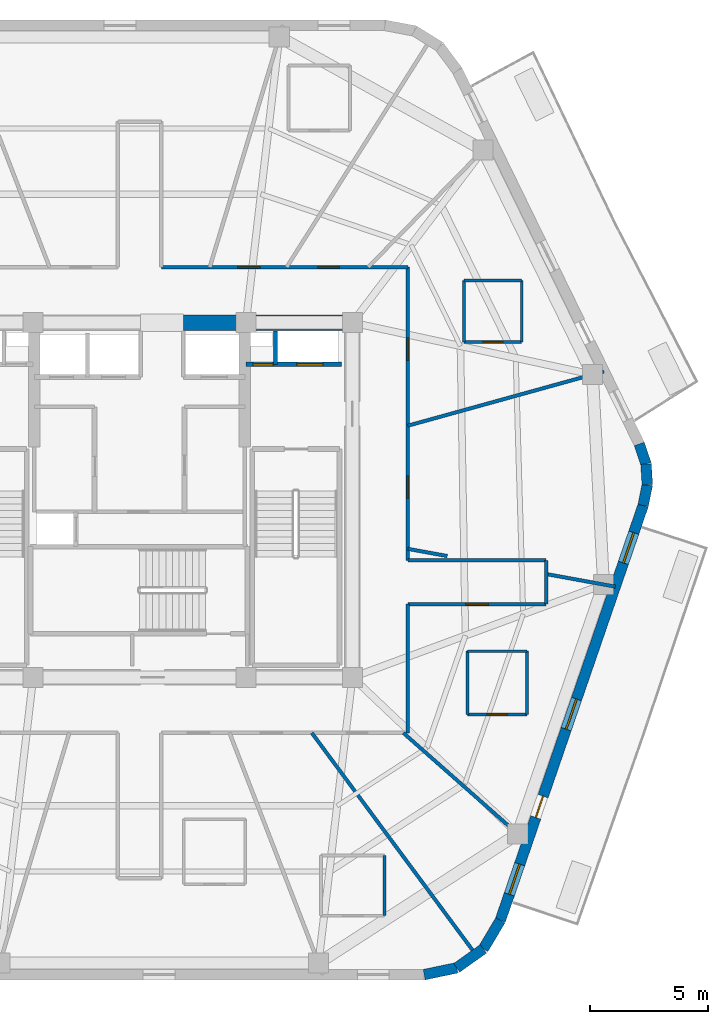
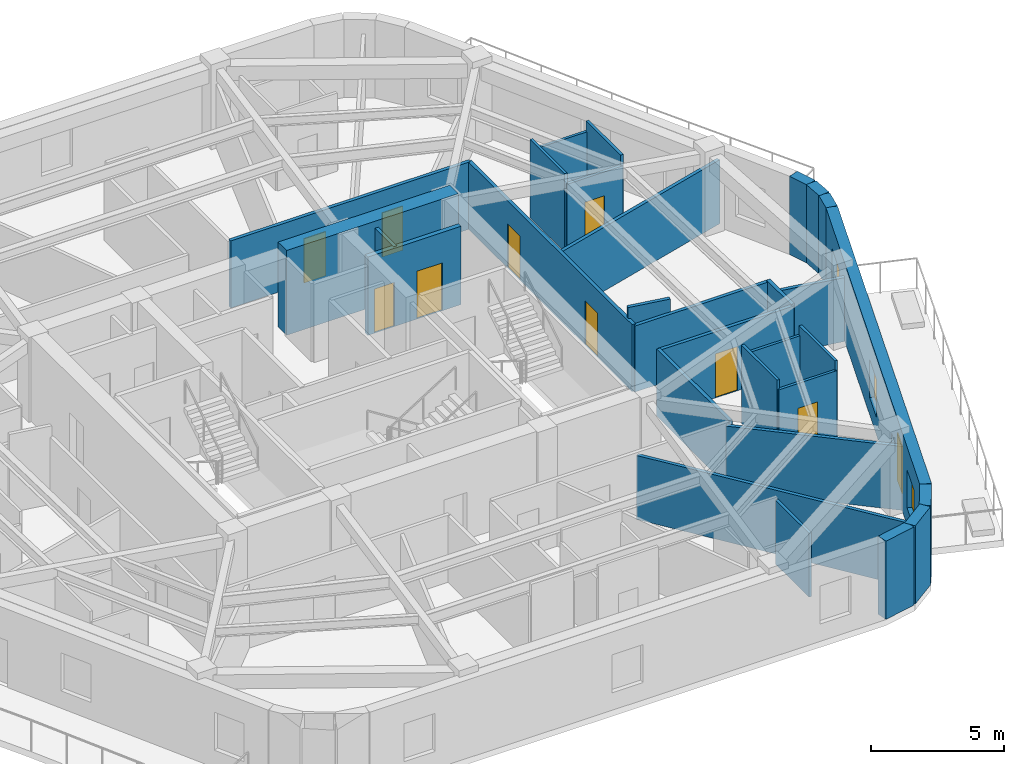
# One storey, part 5 of 9: 30 walls, 10 doors, 3 windows, 13 openings.
"""IFC4 building model written with IfcOpenShell, lengths in metres."""

from ifc_helpers import new_model, si_unit, direction, frame, frame_2d, origin, place, context, subcontext, project, spatial, rectangle, extrude, material, layer, layer_set, type_object, element, fill, save


model = new_model("IFC4")

# Units and contexts
model_context = context("Model", 3, precision=1e-05, world=origin(), true_north=direction((0.0, 1.0)))
body_context = subcontext(model_context, "Body", "Model", "MODEL_VIEW")
ifc_project = project(units=[si_unit("LENGTHUNIT", "METRE"), si_unit("AREAUNIT", "SQUARE_METRE"), si_unit("VOLUMEUNIT", "CUBIC_METRE"), si_unit("PLANEANGLEUNIT", "RADIAN"), si_unit("MASSUNIT", "GRAM", prefix="KILO")], contexts=[model_context])

# Site, building, storey
site_placement = place(None, origin())
site = spatial("IfcSite", under=ifc_project, at=site_placement, CompositionType="ELEMENT")
building_placement = place(site_placement, origin())
building = spatial("IfcBuilding", under=site, at=building_placement, Name="Kilnhurst Terrace Hotel", CompositionType="ELEMENT")
storey_placement = place(building_placement, frame((0.0, 0.0, 276.89990234375)))
storey = spatial("IfcBuildingStorey", under=building, at=storey_placement, Name="L69", CompositionType="ELEMENT", Elevation=276.89990234375)

# Walls
ifc_material_1 = material(Name="Precast concrete C40/50", Category="concrete")
ifc_layer_1 = layer(ifc_material_1, 0.449951171875, Name="Precast concrete C40/50")
ifc_layer_set_1 = layer_set([ifc_layer_1], Name="Precast concrete C40/50")
wall_type_1 = type_object("IfcWallType", Name="WL-BRK-450", PredefinedType="SOLIDWALL", material=ifc_layer_set_1)
wall_1_placement = place(storey_placement, frame((12.038330078125, -20.074951171875, 0.0), z_axis=(0.0, 0.0, 1.0), x_axis=(0.978750122553, 0.205056571711, 0.0)))
element("IfcWall", 1, at=wall_1_placement, inside=storey, type_object=wall_type_1, Name="L69 Rounded Corner Brick Wall C2.1", PredefinedType="SOLIDWALL", context=body_context, shape_type="SweptSolid", body=[
    extrude(rectangle(XDim=1.406005859375, YDim=0.449951171875, at=frame_2d((0.703125, 0.0))), origin(), (0.0, 0.0, 1.0), 3.60009765625),
])
wall_2_placement = place(storey_placement, frame((13.41455078125, -19.78662109375, 0.0), z_axis=(0.0, 0.0, 1.0), x_axis=(0.814055493997, 0.580787097561, 0.0)))
element("IfcWall", 2, at=wall_2_placement, inside=storey, type_object=wall_type_1, Name="L69 Rounded Corner Brick Wall C2.2", PredefinedType="SOLIDWALL", context=body_context, shape_type="SweptSolid", body=[
    extrude(rectangle(XDim=1.382568359375, YDim=0.449951171875, at=frame_2d((0.69140625, 0.0))), origin(), (0.0, 0.0, 1.0), 3.60009765625),
])
wall_3_placement = place(storey_placement, frame((14.5400390625, -18.983642578125, 0.0), z_axis=(0.0, 0.0, 1.0), x_axis=(0.512374906623, 0.858761873317, 0.0)))
element("IfcWall", 3, at=wall_3_placement, inside=storey, type_object=wall_type_1, Name="L69 Rounded Corner Brick Wall C2.3", PredefinedType="SOLIDWALL", context=body_context, shape_type="SweptSolid", body=[
    extrude(rectangle(XDim=1.406005859375, YDim=0.449951171875, at=frame_2d((0.703125, 0.0))), origin(), (0.0, 0.0, 1.0), 3.60009765625),
])
wall_4_placement = place(storey_placement, frame((21.297607421875, -0.2333984375, 0.0), z_axis=(0.0, 0.0, 1.0), x_axis=(0.199158176661, 0.979967356941, 0.0)))
element("IfcWall", 4, at=wall_4_placement, inside=storey, type_object=wall_type_1, Name="L69 Rounded Corner Brick Wall C3.1", PredefinedType="SOLIDWALL", context=body_context, shape_type="SweptSolid", body=[
    extrude(rectangle(XDim=0.894775390625, YDim=0.449951171875, at=frame_2d((0.447265625, 0.0))), origin(), (0.0, 0.0, 1.0), 3.60009765625),
])
wall_5_placement = place(storey_placement, frame((21.475830078125, 0.6435546875, 0.0), z_axis=(0.0, 0.0, 1.0), x_axis=(-0.061031097918, 0.998135865044, 0.0)))
element("IfcWall", 5, at=wall_5_placement, inside=storey, type_object=wall_type_1, Name="L69 Rounded Corner Brick Wall C3.2", PredefinedType="SOLIDWALL", context=body_context, shape_type="SweptSolid", body=[
    extrude(rectangle(XDim=0.880126953125, YDim=0.449951171875, at=frame_2d((0.43994140625, 0.0))), origin(), (0.0, 0.0, 1.0), 3.60009765625),
])
wall_6_placement = place(storey_placement, frame((21.422119140625, 1.52197265625, 0.0), z_axis=(0.0, 0.0, 1.0), x_axis=(-0.316964162323, 0.94843751497, 0.0)))
element("IfcWall", 6, at=wall_6_placement, inside=storey, type_object=wall_type_1, Name="L69 Rounded Corner Brick Wall C3.3", PredefinedType="SOLIDWALL", context=body_context, shape_type="SweptSolid", body=[
    extrude(rectangle(XDim=0.89501953125, YDim=0.449951171875, at=frame_2d((0.447509765625, 0.0))), origin(), (0.0, 0.0, 1.0), 3.60009765625),
])

# Wall, openings, door, windows
wall_7_placement = place(storey_placement, frame((15.260498046875, -17.776123046875, 0.0), z_axis=(0.0, 0.0, 1.0), x_axis=(0.325407437101, 0.945573899745, 0.0)))
wall_7 = element("IfcWall", 7, at=wall_7_placement, inside=storey, type_object=wall_type_1, Name="L69 Exterior Brick Facade Wall F2", PredefinedType="SOLIDWALL", context=body_context, shape_type="SweptSolid", body=[
    extrude(rectangle(XDim=18.552490234375, YDim=0.449951171875, at=frame_2d((9.2763671875, 0.0))), origin(), (0.0, 0.0, 1.0), 3.60009765625),
])
opening_1_placement = place(wall_7_placement, frame((4.60205078125, 0.0, 0.0)))
opening_1 = element("IfcOpeningElement", 8, at=opening_1_placement, cuts=wall_7, Name="Opening BD-950", PredefinedType="OPENING", context=body_context, shape_type="SweptSolid", body=[
    extrude(rectangle(XDim=0.949951171875, YDim=2.14990234375, at=frame_2d((0.47509765625, 1.074951171875))), frame((0.0, 0.23486328125, 0.0), z_axis=(0.0, -1.0, 0.0), x_axis=(1.0, 0.0, 0.0)), (0.0, 0.0, 1.0), 0.469970703125),
])
opening_2_placement = place(wall_7_placement, frame((1.160888671875, 0.0, 0.800048828125)))
opening_2 = element("IfcOpeningElement", 9, at=opening_2_placement, cuts=wall_7, Name="Opening W-06", PredefinedType="OPENING", context=body_context, shape_type="SweptSolid", body=[
    extrude(rectangle(XDim=1.35009765625, YDim=1.75, at=frame_2d((0.675048828125, 0.875))), frame((0.0, 0.23486328125, 0.0), z_axis=(0.0, -1.0, 0.0), x_axis=(1.0, 0.0, 0.0)), (0.0, 0.0, 1.0), 0.469970703125),
])
opening_3_placement = place(wall_7_placement, frame((8.548095703125, 0.0, 0.800048828125)))
opening_3 = element("IfcOpeningElement", 10, at=opening_3_placement, cuts=wall_7, Name="Opening W-06", PredefinedType="OPENING", context=body_context, shape_type="SweptSolid", body=[
    extrude(rectangle(XDim=1.35009765625, YDim=1.75, at=frame_2d((0.675048828125, 0.875))), frame((0.0, 0.23486328125, 0.0), z_axis=(0.0, -1.0, 0.0), x_axis=(1.0, 0.0, 0.0)), (0.0, 0.0, 1.0), 0.469970703125),
])
opening_4_placement = place(wall_7_placement, frame((15.987060546875, 0.0, 0.800048828125)))
opening_4 = element("IfcOpeningElement", 11, at=opening_4_placement, cuts=wall_7, Name="Opening W-06", PredefinedType="OPENING", context=body_context, shape_type="SweptSolid", body=[
    extrude(rectangle(XDim=1.35009765625, YDim=1.75, at=frame_2d((0.675048828125, 0.875))), frame((0.0, 0.23486328125, 0.0), z_axis=(0.0, -1.0, 0.0), x_axis=(1.0, 0.0, 0.0)), (0.0, 0.0, 1.0), 0.469970703125),
])
ifc_material_2 = material(Name="Thermally Broken Bronze Aluminium Alloy 6063-T6 and Laminated Glass", Category="aluminium")
door_type_1 = type_object("IfcDoorType", Name="DR-EXT-BAL-950", OperationType="NOTDEFINED", PredefinedType="DOOR", material=ifc_material_2)
door_1_placement = place(opening_1_placement, origin())
door_1 = element("IfcDoor", 12, at=door_1_placement, inside=storey, type_object=door_type_1, Name="L69 Planted Balcony Door BAL-L1A", OperationType="SINGLE_SWING_RIGHT", OverallHeight=2.14990234375, OverallWidth=0.949951171875, PredefinedType="DOOR", context=body_context, shape_type="SweptSolid", body=[
    extrude(rectangle(XDim=0.949951171875, YDim=2.14990234375, at=frame_2d((0.47509765625, 1.074951171875))), frame((0.0, 0.02490234375, 0.0), z_axis=(0.0, -1.0, 0.0), x_axis=(1.0, 0.0, 0.0)), (0.0, 0.0, 1.0), 0.050048828125),
])
fill(opening_1, door_1)
ifc_material_3 = material(Name="Thermally Broken Bronze Aluminium Alloy 6063-T6 and Low-E Glass", Category="aluminium")
window_type = type_object("IfcWindowType", Name="WIN-1350X1750", PartitioningType="SINGLE_PANEL", PredefinedType="WINDOW", material=ifc_material_3)
window_1_placement = place(opening_2_placement, origin())
window_1 = element("IfcWindow", 13, at=window_1_placement, inside=storey, type_object=window_type, Name="L69 Deep-Set Masonry Window F2.1", OverallHeight=1.75, OverallWidth=1.35009765625, PartitioningType="SINGLE_PANEL", PredefinedType="WINDOW", context=body_context, shape_type="SweptSolid", body=[
    extrude(rectangle(XDim=1.35009765625, YDim=1.75, at=frame_2d((0.675048828125, 0.875))), frame((0.0, 0.030029296875, 0.0), z_axis=(0.0, -1.0, 0.0), x_axis=(1.0, 0.0, 0.0)), (0.0, 0.0, 1.0), 0.06005859375),
])
fill(opening_2, window_1)
window_2_placement = place(opening_3_placement, origin())
window_2 = element("IfcWindow", 14, at=window_2_placement, inside=storey, type_object=window_type, Name="L69 Deep-Set Masonry Window F2.2", OverallHeight=1.75, OverallWidth=1.35009765625, PartitioningType="SINGLE_PANEL", PredefinedType="WINDOW", context=body_context, shape_type="SweptSolid", body=[
    extrude(rectangle(XDim=1.35009765625, YDim=1.75, at=frame_2d((0.675048828125, 0.875))), frame((0.0, 0.030029296875, 0.0), z_axis=(0.0, -1.0, 0.0), x_axis=(1.0, 0.0, 0.0)), (0.0, 0.0, 1.0), 0.06005859375),
])
fill(opening_3, window_2)
window_3_placement = place(opening_4_placement, origin())
window_3 = element("IfcWindow", 15, at=window_3_placement, inside=storey, type_object=window_type, Name="L69 Deep-Set Masonry Window F2.3", OverallHeight=1.75, OverallWidth=1.35009765625, PartitioningType="SINGLE_PANEL", PredefinedType="WINDOW", context=body_context, shape_type="SweptSolid", body=[
    extrude(rectangle(XDim=1.35009765625, YDim=1.75, at=frame_2d((0.675048828125, 0.875))), frame((0.0, 0.030029296875, 0.0), z_axis=(0.0, -1.0, 0.0), x_axis=(1.0, 0.0, 0.0)), (0.0, 0.0, 1.0), 0.06005859375),
])
fill(opening_4, window_3)

# Wall, openings, doors
ifc_material_4 = material(Name="Acoustic Double-Gypsum Corridor Partition Assembly")
ifc_layer_2 = layer(ifc_material_4, 0.14990234375, Name="Acoustic Double-Gypsum Corridor Partition Assembly")
ifc_layer_set_2 = layer_set([ifc_layer_2], Name="Acoustic Double-Gypsum Corridor Partition Assembly")
wall_type_2 = type_object("IfcWallType", Name="WL-COR-150", PredefinedType="PARTITIONING", material=ifc_layer_set_2)
wall_8_placement = place(storey_placement, frame((0.919921875, 9.85009765625, 0.0), z_axis=(0.0, 0.0, 1.0), x_axis=(1.0, 0.0, 0.0)))
wall_8 = element("IfcWall", 16, at=wall_8_placement, inside=storey, type_object=wall_type_2, Name="L69 Interior Wall WL-L69-COR-10", PredefinedType="PARTITIONING", context=body_context, shape_type="SweptSolid", body=[
    extrude(rectangle(XDim=10.43017578125, YDim=0.14990234375, at=frame_2d((5.215087890625, 0.0))), origin(), (0.0, 0.0, 1.0), 3.090087890625),
])
opening_5_placement = place(wall_8_placement, frame((6.626953125, 0.0, 0.0)))
opening_5 = element("IfcOpeningElement", 17, at=opening_5_placement, cuts=wall_8, Name="Opening D-60C", PredefinedType="OPENING", context=body_context, shape_type="SweptSolid", body=[
    extrude(rectangle(XDim=0.89990234375, YDim=2.030029296875, at=frame_2d((0.449951171875, 1.01513671875))), frame((0.0, 0.0849609375, 0.0), z_axis=(0.0, -1.0, 0.0), x_axis=(1.0, 0.0, 0.0)), (0.0, 0.0, 1.0), 0.169921875),
])
opening_6_placement = place(wall_8_placement, frame((3.22607421875, 0.0, 0.0)))
opening_6 = element("IfcOpeningElement", 18, at=opening_6_placement, cuts=wall_8, Name="Opening D-60B", PredefinedType="OPENING", context=body_context, shape_type="SweptSolid", body=[
    extrude(rectangle(XDim=0.949951171875, YDim=2.030029296875, at=frame_2d((0.47509765625, 1.01513671875))), frame((0.0, 0.0849609375, 0.0), z_axis=(0.0, -1.0, 0.0), x_axis=(1.0, 0.0, 0.0)), (0.0, 0.0, 1.0), 0.169921875),
])
ifc_material_5 = material(Name="Painted Solid-Core Service Fire Door")
door_type_2 = type_object("IfcDoorType", Name="DR-FD60-900", OperationType="NOTDEFINED", PredefinedType="DOOR", material=ifc_material_5)
door_2_placement = place(opening_5_placement, origin())
door_2 = element("IfcDoor", 19, at=door_2_placement, inside=storey, type_object=door_type_2, Name="L69 Private Study Salon Door 2", OperationType="SINGLE_SWING_RIGHT", OverallHeight=2.030029296875, OverallWidth=0.89990234375, PredefinedType="DOOR", context=body_context, shape_type="SweptSolid", body=[
    extrude(rectangle(XDim=0.89990234375, YDim=2.030029296875, at=frame_2d((0.449951171875, 1.01513671875))), frame((0.0, 0.02490234375, 0.0), z_axis=(0.0, -1.0, 0.0), x_axis=(1.0, 0.0, 0.0)), (0.0, 0.0, 1.0), 0.050048828125),
])
fill(opening_5, door_2)
ifc_material_6 = material(Name="Acoustic Walnut Veneer Solid-Core Fire Door")
door_type_3 = type_object("IfcDoorType", Name="DR-FD60-950", OperationType="NOTDEFINED", PredefinedType="DOOR", material=ifc_material_6)
door_3_placement = place(opening_6_placement, origin())
door_3 = element("IfcDoor", 20, at=door_3_placement, inside=storey, type_object=door_type_3, Name="L69 Guest Room Entry Door 3", OperationType="SINGLE_SWING_LEFT", OverallHeight=2.030029296875, OverallWidth=0.949951171875, PredefinedType="DOOR", context=body_context, shape_type="SweptSolid", body=[
    extrude(rectangle(XDim=0.949951171875, YDim=2.030029296875, at=frame_2d((0.47509765625, 1.01513671875))), frame((0.0, 0.02490234375, 0.0), z_axis=(0.0, -1.0, 0.0), x_axis=(1.0, 0.0, 0.0)), (0.0, 0.0, 1.0), 0.050048828125),
])
fill(opening_6, door_3)

wall_9_placement = place(storey_placement, frame((11.35009765625, 9.85009765625, 0.0), z_axis=(0.0, 0.0, 1.0), x_axis=(0.0, -1.0, 0.0)))
wall_9 = element("IfcWall", 21, at=wall_9_placement, inside=storey, type_object=wall_type_2, Name="L69 Interior Wall WL-L69-COR-11", PredefinedType="PARTITIONING", context=body_context, shape_type="SweptSolid", body=[
    extrude(rectangle(XDim=12.400146484375, YDim=0.14990234375, at=frame_2d((6.2001953125, 0.0))), origin(), (0.0, 0.0, 1.0), 3.090087890625),
])
opening_7_placement = place(wall_9_placement, frame((2.998046875, 0.0, 0.0)))
opening_7 = element("IfcOpeningElement", 22, at=opening_7_placement, cuts=wall_9, Name="Opening D-60B", PredefinedType="OPENING", context=body_context, shape_type="SweptSolid", body=[
    extrude(rectangle(XDim=0.949951171875, YDim=2.030029296875, at=frame_2d((0.47509765625, 1.01513671875))), frame((0.0, 0.0849609375, 0.0), z_axis=(0.0, -1.0, 0.0), x_axis=(1.0, 0.0, 0.0)), (0.0, 0.0, 1.0), 0.169921875),
])
opening_8_placement = place(wall_9_placement, frame((8.8349609375, 0.0, 0.0)))
opening_8 = element("IfcOpeningElement", 23, at=opening_8_placement, cuts=wall_9, Name="Opening D-60B", PredefinedType="OPENING", context=body_context, shape_type="SweptSolid", body=[
    extrude(rectangle(XDim=0.949951171875, YDim=2.030029296875, at=frame_2d((0.47509765625, 1.01513671875))), frame((0.0, 0.0849609375, 0.0), z_axis=(0.0, -1.0, 0.0), x_axis=(1.0, 0.0, 0.0)), (0.0, 0.0, 1.0), 0.169921875),
])
door_4_placement = place(opening_7_placement, origin())
door_4 = element("IfcDoor", 24, at=door_4_placement, inside=storey, type_object=door_type_3, Name="L69 Executive Suite Entry Door 1", OperationType="SINGLE_SWING_LEFT", OverallHeight=2.030029296875, OverallWidth=0.949951171875, PredefinedType="DOOR", context=body_context, shape_type="SweptSolid", body=[
    extrude(rectangle(XDim=0.949951171875, YDim=2.030029296875, at=frame_2d((0.47509765625, 1.01513671875))), frame((0.0, 0.02490234375, 0.0), z_axis=(0.0, -1.0, 0.0), x_axis=(1.0, 0.0, 0.0)), (0.0, 0.0, 1.0), 0.050048828125),
])
fill(opening_7, door_4)
door_5_placement = place(opening_8_placement, origin())
door_5 = element("IfcDoor", 25, at=door_5_placement, inside=storey, type_object=door_type_3, Name="L69 Study Salon Door", OperationType="SINGLE_SWING_LEFT", OverallHeight=2.030029296875, OverallWidth=0.949951171875, PredefinedType="DOOR", context=body_context, shape_type="SweptSolid", body=[
    extrude(rectangle(XDim=0.949951171875, YDim=2.030029296875, at=frame_2d((0.47509765625, 1.01513671875))), frame((0.0, 0.02490234375, 0.0), z_axis=(0.0, -1.0, 0.0), x_axis=(1.0, 0.0, 0.0)), (0.0, 0.0, 1.0), 0.050048828125),
])
fill(opening_8, door_5)

# Walls
wall_10_placement = place(storey_placement, frame((11.35009765625, -2.550048828125, 0.0), z_axis=(0.0, 0.0, 1.0), x_axis=(1.0, 0.0, 0.0)))
element("IfcWall", 26, at=wall_10_placement, inside=storey, type_object=wall_type_2, Name="L69 Interior Wall WL-L69-COR-12", PredefinedType="PARTITIONING", context=body_context, shape_type="SweptSolid", body=[
    extrude(rectangle(XDim=5.849853515625, YDim=0.14990234375, at=frame_2d((2.9248046875, 0.0))), origin(), (0.0, 0.0, 1.0), 3.04052734375),
])
wall_11_placement = place(storey_placement, frame((17.199951171875, -2.550048828125, 0.0), z_axis=(0.0, 0.0, 1.0), x_axis=(0.0, -1.0, 0.0)))
element("IfcWall", 27, at=wall_11_placement, inside=storey, type_object=wall_type_2, Name="L69 Interior Wall WL-L69-COR-13", PredefinedType="PARTITIONING", context=body_context, shape_type="SweptSolid", body=[
    extrude(rectangle(XDim=1.849853515625, YDim=0.14990234375, at=frame_2d((0.9248046875, 0.0))), origin(), (0.0, 0.0, 1.0), 3.090087890625),
])

# Wall, opening, door
wall_12_placement = place(storey_placement, frame((17.199951171875, -4.39990234375, 0.0), z_axis=(0.0, 0.0, 1.0), x_axis=(-1.0, 0.0, 0.0)))
wall_12 = element("IfcWall", 28, at=wall_12_placement, inside=storey, type_object=wall_type_2, Name="L69 Interior Wall WL-L69-COR-14", PredefinedType="PARTITIONING", context=body_context, shape_type="SweptSolid", body=[
    extrude(rectangle(XDim=5.849853515625, YDim=0.14990234375, at=frame_2d((2.9248046875, 0.0))), origin(), (0.0, 0.0, 1.0), 3.04052734375),
])
opening_9_placement = place(wall_12_placement, frame((2.449951171875, 0.0, 0.0)))
opening_9 = element("IfcOpeningElement", 29, at=opening_9_placement, cuts=wall_12, Name="Opening D-60B", PredefinedType="OPENING", context=body_context, shape_type="SweptSolid", body=[
    extrude(rectangle(XDim=0.949951171875, YDim=2.030029296875, at=frame_2d((0.47509765625, 1.01513671875))), frame((0.0, 0.0849609375, 0.0), z_axis=(0.0, -1.0, 0.0), x_axis=(1.0, 0.0, 0.0)), (0.0, 0.0, 1.0), 0.169921875),
])
door_6_placement = place(opening_9_placement, origin())
door_6 = element("IfcDoor", 30, at=door_6_placement, inside=storey, type_object=door_type_3, Name="L69 Executive Suite Entry Door 14", OperationType="SINGLE_SWING_RIGHT", OverallHeight=2.030029296875, OverallWidth=0.949951171875, PredefinedType="DOOR", context=body_context, shape_type="SweptSolid", body=[
    extrude(rectangle(XDim=0.949951171875, YDim=2.030029296875, at=frame_2d((0.47509765625, 1.01513671875))), frame((0.0, 0.02490234375, 0.0), z_axis=(0.0, -1.0, 0.0), x_axis=(1.0, 0.0, 0.0)), (0.0, 0.0, 1.0), 0.050048828125),
])
fill(opening_9, door_6)

# Walls
wall_13_placement = place(storey_placement, frame((11.35009765625, -4.39990234375, 0.0), z_axis=(0.0, 0.0, 1.0), x_axis=(0.0, -1.0, 0.0)))
element("IfcWall", 31, at=wall_13_placement, inside=storey, type_object=wall_type_2, Name="L69 Interior Wall WL-L69-COR-15", PredefinedType="PARTITIONING", context=body_context, shape_type="SweptSolid", body=[
    extrude(rectangle(XDim=5.4501953125, YDim=0.14990234375, at=frame_2d((2.72509765625, 0.0))), origin(), (0.0, 0.0, 1.0), 3.090087890625),
])
ifc_material_7 = material(Name="Concrete C60/75", Category="concrete")
ifc_layer_3 = layer(ifc_material_7, 0.64990234375, Name="Concrete C60/75")
ifc_layer_set_3 = layer_set([ifc_layer_3], Name="Concrete C60/75")
wall_type_3 = type_object("IfcWallType", Name="WL-CORE-650", PredefinedType="SHEAR", material=ifc_layer_set_3)
wall_14_placement = place(storey_placement, frame((1.85009765625, 7.5, 0.0), z_axis=(0.0, 0.0, 1.0), x_axis=(1.0, 0.0, 0.0)))
element("IfcWall", 32, at=wall_14_placement, inside=storey, type_object=wall_type_3, Name="L69 Core North East Shear Wall", PredefinedType="SHEAR", context=body_context, shape_type="SweptSolid", body=[
    extrude(rectangle(XDim=7.474853515625, YDim=0.64990234375, at=frame_2d((3.7373046875, 0.0))), origin(), (0.0, 0.0, 1.0), 3.900146484375),
])
ifc_material_8 = material(Name="STC-58 Acoustic Twin-Frame Guestroom Demising Partition")
ifc_layer_4 = layer(ifc_material_8, 0.14990234375, Name="STC-58 Acoustic Twin-Frame Guestroom Demising Partition")
ifc_layer_set_4 = layer_set([ifc_layer_4], Name="STC-58 Acoustic Twin-Frame Guestroom Demising Partition")
wall_type_4 = type_object("IfcWallType", Name="WL-DEM-150", PredefinedType="PARTITIONING", material=ifc_layer_set_4)
wall_15_placement = place(storey_placement, frame((11.35009765625, 3.142822265625, 0.0), z_axis=(0.0, 0.0, 1.0), x_axis=(0.963731818141, 0.266872596386, 0.0)))
element("IfcWall", 33, at=wall_15_placement, inside=storey, type_object=wall_type_4, Name="L69 Interior Wall WL-L69-DEM-COL01-01-1", PredefinedType="PARTITIONING", context=body_context, shape_type="SweptSolid", body=[
    extrude(rectangle(XDim=8.604736328125, YDim=0.14990234375, at=frame_2d((4.30224609375, 0.0))), origin(), (0.0, 0.0, 1.0), 2.940185546875),
])
wall_16_placement = place(storey_placement, frame((7.286865234375, -9.85009765625, 0.0), z_axis=(0.0, 0.0, 1.0), x_axis=(0.594730961824, -0.803924799373, 0.0)))
element("IfcWall", 34, at=wall_16_placement, inside=storey, type_object=wall_type_4, Name="L69 Interior Wall WL-L69-DEM-MID10-13-1", PredefinedType="PARTITIONING", context=body_context, shape_type="SweptSolid", body=[
    extrude(rectangle(XDim=11.48974609375, YDim=0.14990234375, at=frame_2d((5.744873046875, 0.0))), origin(), (0.0, 0.0, 1.0), 2.940185546875),
])
wall_17_placement = place(storey_placement, frame((11.1572265625, -9.85009765625, 0.0), z_axis=(0.0, 0.0, 1.0), x_axis=(0.74966962095, -0.661812253909, 0.0)))
element("IfcWall", 35, at=wall_17_placement, inside=storey, type_object=wall_type_4, Name="L69 Interior Wall WL-L69-DEM-COL11-14-1", PredefinedType="PARTITIONING", context=body_context, shape_type="SweptSolid", body=[
    extrude(rectangle(XDim=6.98876953125, YDim=0.14990234375, at=frame_2d((3.494384765625, 0.0))), origin(), (0.0, 0.0, 1.0), 2.940185546875),
])
wall_18_placement = place(storey_placement, frame((11.35009765625, -2.067138671875, 0.0), z_axis=(0.0, 0.0, 1.0), x_axis=(0.983807459651, -0.179228575665, 0.0)))
element("IfcWall", 36, at=wall_18_placement, inside=storey, type_object=wall_type_4, Name="L69 Interior Wall WL-L69-DEM-COL12-15-1", PredefinedType="PARTITIONING", context=body_context, shape_type="SweptSolid", body=[
    extrude(rectangle(XDim=1.6904296875, YDim=0.14990234375, at=frame_2d((0.84521484375, 0.0))), origin(), (0.0, 0.0, 1.0), 3.60009765625),
])
wall_19_placement = place(storey_placement, frame((17.199951171875, -3.132568359375, 0.0), z_axis=(0.0, 0.0, 1.0), x_axis=(0.983817168797, -0.179175272791, 0.0)))
element("IfcWall", 37, at=wall_19_placement, inside=storey, type_object=wall_type_4, Name="L69 Interior Wall WL-L69-DEM-COL12-15-2", PredefinedType="PARTITIONING", context=body_context, shape_type="SweptSolid", body=[
    extrude(rectangle(XDim=2.965087890625, YDim=0.14990234375, at=frame_2d((1.482421875, 0.0))), origin(), (0.0, 0.0, 1.0), 2.940185546875),
])

# Wall, opening, door
ifc_material_9 = material(Name="120 mm Moisture-Resistant Tile-Backed Bathroom Partition")
ifc_layer_5 = layer(ifc_material_9, 0.1201171875, Name="120 mm Moisture-Resistant Tile-Backed Bathroom Partition")
ifc_layer_set_5 = layer_set([ifc_layer_5], Name="120 mm Moisture-Resistant Tile-Backed Bathroom Partition")
wall_type_5 = type_object("IfcWallType", Name="WL-PART-120", PredefinedType="PARTITIONING", material=ifc_layer_set_5)
wall_20_placement = place(storey_placement, frame((13.722900390625, 6.677001953125, 0.0), z_axis=(0.0, 0.0, 1.0), x_axis=(1.0, 0.0, 0.0)))
wall_20 = element("IfcWall", 38, at=wall_20_placement, inside=storey, type_object=wall_type_5, Name="L69 Interior Wall WL-L69-BTH-01-1", PredefinedType="PARTITIONING", context=body_context, shape_type="SweptSolid", body=[
    extrude(rectangle(XDim=2.440185546875, YDim=0.1201171875, at=frame_2d((1.22021484375, 0.0))), origin(), (0.0, 0.0, 1.0), 3.126708984375),
])
opening_10_placement = place(wall_20_placement, frame((0.794921875, 0.0, 0.0)))
opening_10 = element("IfcOpeningElement", 39, at=opening_10_placement, cuts=wall_20, Name="Opening D-08A", PredefinedType="OPENING", context=body_context, shape_type="SweptSolid", body=[
    extrude(rectangle(XDim=0.85009765625, YDim=2.030029296875, at=frame_2d((0.425048828125, 1.01513671875))), frame((0.0, 0.070068359375, 0.0), z_axis=(0.0, -1.0, 0.0), x_axis=(1.0, 0.0, 0.0)), (0.0, 0.0, 1.0), 0.14013671875),
])
ifc_material_10 = material(Name="Moisture-Resistant Lacquered En-suite Bathroom Door")
door_type_4 = type_object("IfcDoorType", Name="DR-INT-850", OperationType="NOTDEFINED", PredefinedType="DOOR", material=ifc_material_10)
door_7_placement = place(opening_10_placement, origin())
door_7 = element("IfcDoor", 40, at=door_7_placement, inside=storey, type_object=door_type_4, Name="L69 En-suite Bathroom Door 1", OperationType="SINGLE_SWING_RIGHT", OverallHeight=2.030029296875, OverallWidth=0.85009765625, PredefinedType="DOOR", context=body_context, shape_type="SweptSolid", body=[
    extrude(rectangle(XDim=0.85009765625, YDim=2.030029296875, at=frame_2d((0.425048828125, 1.01513671875))), frame((0.0, 0.02490234375, 0.0), z_axis=(0.0, -1.0, 0.0), x_axis=(1.0, 0.0, 0.0)), (0.0, 0.0, 1.0), 0.050048828125),
])
fill(opening_10, door_7)

# Walls
wall_21_placement = place(storey_placement, frame((16.1630859375, 6.677001953125, 0.0), z_axis=(0.0, 0.0, 1.0), x_axis=(0.0, 1.0, 0.0)))
element("IfcWall", 41, at=wall_21_placement, inside=storey, type_object=wall_type_5, Name="L69 Interior Wall WL-L69-BTH-01-2", PredefinedType="PARTITIONING", context=body_context, shape_type="SweptSolid", body=[
    extrude(rectangle(XDim=2.610107421875, YDim=0.1201171875, at=frame_2d((1.30517578125, 0.0))), origin(), (0.0, 0.0, 1.0), 3.60009765625),
])
wall_22_placement = place(storey_placement, frame((16.1630859375, 9.287109375, 0.0), z_axis=(0.0, 0.0, 1.0), x_axis=(-1.0, 0.0, 0.0)))
element("IfcWall", 42, at=wall_22_placement, inside=storey, type_object=wall_type_5, Name="L69 Interior Wall WL-L69-BTH-01-3", PredefinedType="PARTITIONING", context=body_context, shape_type="SweptSolid", body=[
    extrude(rectangle(XDim=2.440185546875, YDim=0.1201171875, at=frame_2d((1.22021484375, 0.0))), origin(), (0.0, 0.0, 1.0), 3.126708984375),
])
wall_23_placement = place(storey_placement, frame((13.722900390625, 9.287109375, 0.0), z_axis=(0.0, 0.0, 1.0), x_axis=(0.0, -1.0, 0.0)))
element("IfcWall", 43, at=wall_23_placement, inside=storey, type_object=wall_type_5, Name="L69 Interior Wall WL-L69-BTH-01-4", PredefinedType="PARTITIONING", context=body_context, shape_type="SweptSolid", body=[
    extrude(rectangle(XDim=2.610107421875, YDim=0.1201171875, at=frame_2d((1.30517578125, 0.0))), origin(), (0.0, 0.0, 1.0), 3.60009765625),
])
wall_24_placement = place(storey_placement, frame((10.35400390625, -17.5810546875, 0.0), z_axis=(0.0, 0.0, 1.0), x_axis=(0.0, 1.0, 0.0)))
element("IfcWall", 44, at=wall_24_placement, inside=storey, type_object=wall_type_5, Name="L69 Interior Wall WL-L69-BTH-12-2", PredefinedType="PARTITIONING", context=body_context, shape_type="SweptSolid", body=[
    extrude(rectangle(XDim=2.5400390625, YDim=0.1201171875, at=frame_2d((1.27001953125, 0.0))), origin(), (0.0, 0.0, 1.0), 2.940185546875),
])

# Wall, opening, door
wall_25_placement = place(storey_placement, frame((13.867919921875, -9.073974609375, 0.0), z_axis=(0.0, 0.0, 1.0), x_axis=(1.0, 0.0, 0.0)))
wall_25 = element("IfcWall", 45, at=wall_25_placement, inside=storey, type_object=wall_type_5, Name="L69 Interior Wall WL-L69-BTH-14-1", PredefinedType="PARTITIONING", context=body_context, shape_type="SweptSolid", body=[
    extrude(rectangle(XDim=2.52001953125, YDim=0.1201171875, at=frame_2d((1.260009765625, 0.0))), origin(), (0.0, 0.0, 1.0), 3.172607421875),
])
opening_11_placement = place(wall_25_placement, frame((0.8349609375, 0.0, 0.0)))
opening_11 = element("IfcOpeningElement", 46, at=opening_11_placement, cuts=wall_25, Name="Opening D-08A", PredefinedType="OPENING", context=body_context, shape_type="SweptSolid", body=[
    extrude(rectangle(XDim=0.85009765625, YDim=2.030029296875, at=frame_2d((0.425048828125, 1.01513671875))), frame((0.0, 0.070068359375, 0.0), z_axis=(0.0, -1.0, 0.0), x_axis=(1.0, 0.0, 0.0)), (0.0, 0.0, 1.0), 0.14013671875),
])
door_8_placement = place(opening_11_placement, origin())
door_8 = element("IfcDoor", 47, at=door_8_placement, inside=storey, type_object=door_type_4, Name="L69 En-suite Bathroom Door 14", OperationType="SINGLE_SWING_LEFT", OverallHeight=2.030029296875, OverallWidth=0.85009765625, PredefinedType="DOOR", context=body_context, shape_type="SweptSolid", body=[
    extrude(rectangle(XDim=0.85009765625, YDim=2.030029296875, at=frame_2d((0.425048828125, 1.01513671875))), frame((0.0, 0.02490234375, 0.0), z_axis=(0.0, -1.0, 0.0), x_axis=(1.0, 0.0, 0.0)), (0.0, 0.0, 1.0), 0.050048828125),
])
fill(opening_11, door_8)

# Walls
wall_26_placement = place(storey_placement, frame((16.387939453125, -9.073974609375, 0.0), z_axis=(0.0, 0.0, 1.0), x_axis=(0.0, 1.0, 0.0)))
element("IfcWall", 48, at=wall_26_placement, inside=storey, type_object=wall_type_5, Name="L69 Interior Wall WL-L69-BTH-14-2", PredefinedType="PARTITIONING", context=body_context, shape_type="SweptSolid", body=[
    extrude(rectangle(XDim=2.679931640625, YDim=0.1201171875, at=frame_2d((1.33984375, 0.0))), origin(), (0.0, 0.0, 1.0), 3.60009765625),
])
wall_27_placement = place(storey_placement, frame((16.387939453125, -6.39404296875, 0.0), z_axis=(0.0, 0.0, 1.0), x_axis=(-1.0, 0.0, 0.0)))
element("IfcWall", 49, at=wall_27_placement, inside=storey, type_object=wall_type_5, Name="L69 Interior Wall WL-L69-BTH-14-3", PredefinedType="PARTITIONING", context=body_context, shape_type="SweptSolid", body=[
    extrude(rectangle(XDim=2.52001953125, YDim=0.1201171875, at=frame_2d((1.260009765625, 0.0))), origin(), (0.0, 0.0, 1.0), 3.172607421875),
])
wall_28_placement = place(storey_placement, frame((13.867919921875, -6.39404296875, 0.0), z_axis=(0.0, 0.0, 1.0), x_axis=(0.0, -1.0, 0.0)))
element("IfcWall", 50, at=wall_28_placement, inside=storey, type_object=wall_type_5, Name="L69 Interior Wall WL-L69-BTH-14-4", PredefinedType="PARTITIONING", context=body_context, shape_type="SweptSolid", body=[
    extrude(rectangle(XDim=2.679931640625, YDim=0.1201171875, at=frame_2d((1.33984375, 0.0))), origin(), (0.0, 0.0, 1.0), 3.60009765625),
])
ifc_material_11 = material(Name="Fire-Rated Gypsum Shaftliner Assembly")
ifc_layer_6 = layer(ifc_material_11, 0.14990234375, Name="Fire-Rated Gypsum Shaftliner Assembly")
ifc_layer_set_6 = layer_set([ifc_layer_6], Name="Fire-Rated Gypsum Shaftliner Assembly")
wall_type_6 = type_object("IfcWallType", Name="WL-SHAFT-150", PredefinedType="PARTITIONING", material=ifc_layer_set_6)
wall_29_placement = place(storey_placement, frame((5.75, 5.739990234375, 0.0), z_axis=(0.0, 0.0, 1.0), x_axis=(0.0, 1.0, 0.0)))
element("IfcWall", 51, at=wall_29_placement, inside=storey, type_object=wall_type_6, Name="L69 Interior Wall WL-L69-RIS2-DIV", PredefinedType="PARTITIONING", context=body_context, shape_type="SweptSolid", body=[
    extrude(rectangle(XDim=1.409912109375, YDim=0.14990234375, at=frame_2d((0.705078125, 0.0))), origin(), (0.0, 0.0, 1.0), 3.60009765625),
])

# Wall, openings, doors
ifc_material_12 = material(Name="Autoclaved Aerated Concrete C30/37 and Gypsum Shaft Assembly", Category="concrete")
ifc_layer_7 = layer(ifc_material_12, 0.199951171875, Name="Autoclaved Aerated Concrete C30/37 and Gypsum Shaft Assembly")
ifc_layer_set_7 = layer_set([ifc_layer_7], Name="Autoclaved Aerated Concrete C30/37 and Gypsum Shaft Assembly")
wall_type_7 = type_object("IfcWallType", Name="WL-SHAFT-200", PredefinedType="PARTITIONING", material=ifc_layer_set_7)
wall_30_placement = place(storey_placement, frame((4.5, 5.739990234375, 0.0), z_axis=(0.0, 0.0, 1.0), x_axis=(1.0, 0.0, 0.0)))
wall_30 = element("IfcWall", 52, at=wall_30_placement, inside=storey, type_object=wall_type_7, Name="L69 Interior Wall WL-L69-FSAE2-S", PredefinedType="PARTITIONING", context=body_context, shape_type="SweptSolid", body=[
    extrude(rectangle(XDim=4.050048828125, YDim=0.199951171875, at=frame_2d((2.02490234375, 0.0))), origin(), (0.0, 0.0, 1.0), 3.60009765625),
])
opening_12_placement = place(wall_30_placement, frame((0.300048828125, 0.0, 0.0)))
opening_12 = element("IfcOpeningElement", 53, at=opening_12_placement, cuts=wall_30, Name="Opening D-60D", PredefinedType="OPENING", context=body_context, shape_type="SweptSolid", body=[
    extrude(rectangle(XDim=0.85009765625, YDim=2.030029296875, at=frame_2d((0.425048828125, 1.01513671875))), frame((0.0, 0.10986328125, 0.0), z_axis=(0.0, -1.0, 0.0), x_axis=(1.0, 0.0, 0.0)), (0.0, 0.0, 1.0), 0.219970703125),
])
opening_13_placement = place(wall_30_placement, frame((2.14990234375, 0.0, 0.0)))
opening_13 = element("IfcOpeningElement", 54, at=opening_13_placement, cuts=wall_30, Name="Opening LD-F2", PredefinedType="OPENING", context=body_context, shape_type="SweptSolid", body=[
    extrude(rectangle(XDim=1.10009765625, YDim=2.199951171875, at=frame_2d((0.550048828125, 1.10009765625))), frame((0.0, 0.10986328125, 0.0), z_axis=(0.0, -1.0, 0.0), x_axis=(1.0, 0.0, 0.0)), (0.0, 0.0, 1.0), 0.219970703125),
])
ifc_material_13 = material(Name="Painted Hollow Metal Steel ASTM A36 Riser Door", Category="steel")
door_type_5 = type_object("IfcDoorType", Name="DR-FD60-850", OperationType="NOTDEFINED", PredefinedType="DOOR", material=ifc_material_13)
door_9_placement = place(opening_12_placement, origin())
door_9 = element("IfcDoor", 55, at=door_9_placement, inside=storey, type_object=door_type_5, Name="L69 Telecom Riser Door", OperationType="SINGLE_SWING_RIGHT", OverallHeight=2.030029296875, OverallWidth=0.85009765625, PredefinedType="DOOR", context=body_context, shape_type="SweptSolid", body=[
    extrude(rectangle(XDim=0.85009765625, YDim=2.030029296875, at=frame_2d((0.425048828125, 1.01513671875))), frame((0.0, 0.02490234375, 0.0), z_axis=(0.0, -1.0, 0.0), x_axis=(1.0, 0.0, 0.0)), (0.0, 0.0, 1.0), 0.050048828125),
])
fill(opening_12, door_9)
ifc_material_14 = material(Name="Bronze-Anodized Stainless Steel AISI 316L Sliding Door", Category="steel")
door_type_6 = type_object("IfcDoorType", Name="DR-LIFT-1100", OperationType="NOTDEFINED", PredefinedType="DOOR", material=ifc_material_14)
door_10_placement = place(opening_13_placement, origin())
door_10 = element("IfcDoor", 56, at=door_10_placement, inside=storey, type_object=door_type_6, Name="L69 FSAE-2 Landing Door", OperationType="SLIDING_TO_RIGHT", OverallHeight=2.199951171875, OverallWidth=1.10009765625, PredefinedType="DOOR", context=body_context, shape_type="SweptSolid", body=[
    extrude(rectangle(XDim=1.10009765625, YDim=2.199951171875, at=frame_2d((0.550048828125, 1.10009765625))), frame((0.0, 0.02490234375, 0.0), z_axis=(0.0, -1.0, 0.0), x_axis=(1.0, 0.0, 0.0)), (0.0, 0.0, 1.0), 0.050048828125),
])
fill(opening_13, door_10)

save(model, "model.ifc")
